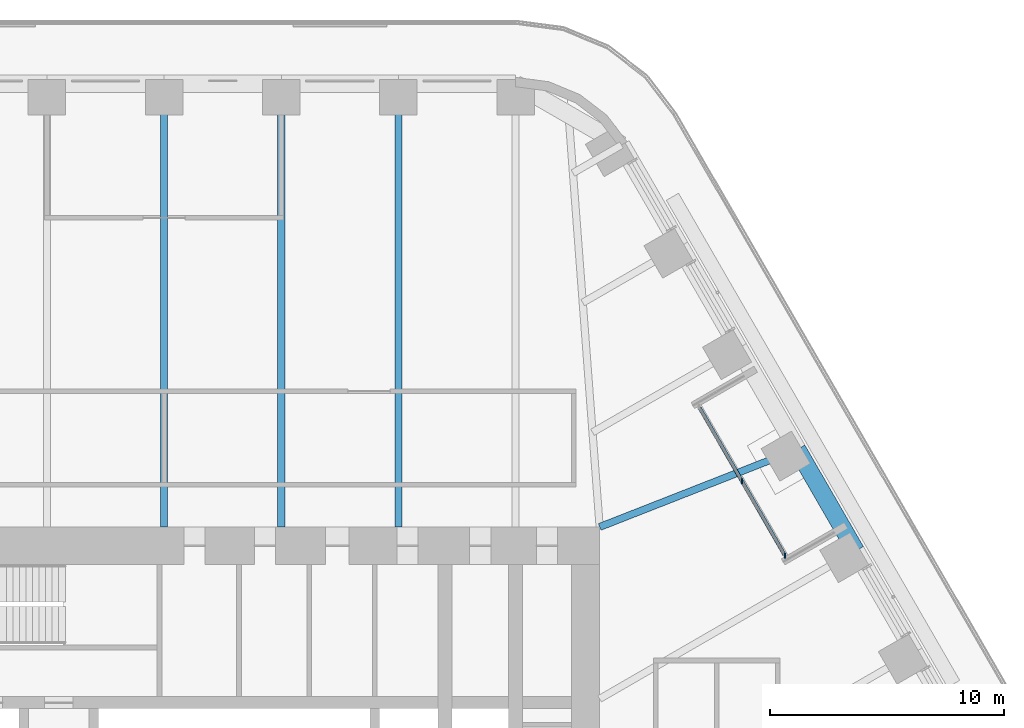
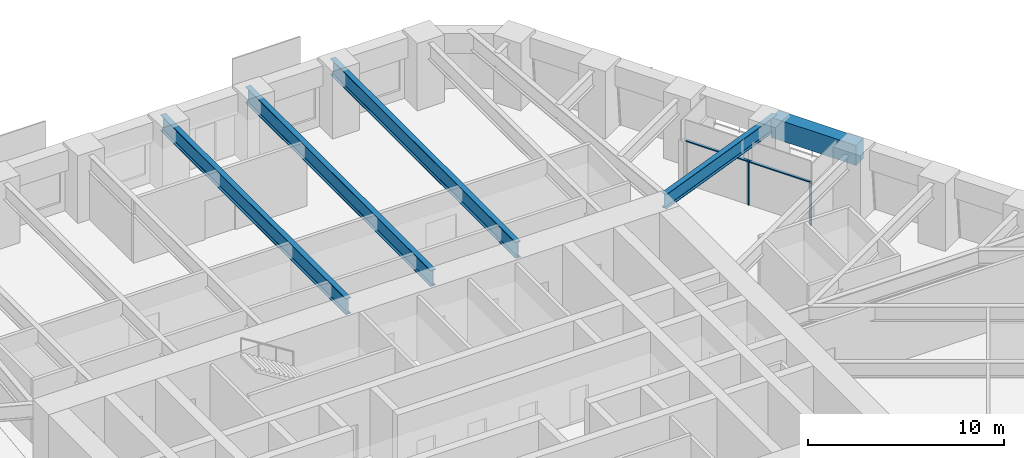
# One storey, part 11 of 24: 5 beams, 3 members, 1 element without a shape of its own.
"""IFC4 building model written with IfcOpenShell, lengths in metres."""

from ifc_helpers import new_model, si_unit, direction, frame, origin, origin_2d, place, context, subcontext, project, spatial, rectangle, i_section, extrude, material, material_profile, profile_set, type_object, element, aggregate, save


model = new_model("IFC4")

# Units and contexts
model_context = context("Model", 3, precision=1e-05, world=origin(), true_north=direction((0.0, 1.0)))
body_context = subcontext(model_context, "Body", "Model", "MODEL_VIEW")
ifc_project = project(units=[si_unit("LENGTHUNIT", "METRE"), si_unit("AREAUNIT", "SQUARE_METRE"), si_unit("VOLUMEUNIT", "CUBIC_METRE"), si_unit("PLANEANGLEUNIT", "RADIAN"), si_unit("MASSUNIT", "GRAM", prefix="KILO")], contexts=[model_context])

# Site, building, storey
site_placement = place(None, origin())
site = spatial("IfcSite", under=ifc_project, at=site_placement, CompositionType="ELEMENT")
building_placement = place(site_placement, origin())
building = spatial("IfcBuilding", under=site, at=building_placement, Name="Tarfa Lantern Tower", CompositionType="ELEMENT")
storey_placement = place(building_placement, frame((0.0, 0.0, 148.89990234375)))
storey = spatial("IfcBuildingStorey", under=building, at=storey_placement, Name="L33", CompositionType="ELEMENT", Elevation=148.89990234375)

# Curtain wall, members
ifc_material_1 = material(Name="Aluminium framed curtain wall", Category="aluminium")
curtain_wall_type = type_object("IfcCurtainWallType", Name="CW10 LOGGIA GLAZING 2750", PredefinedType="USERDEFINED", material=ifc_material_1)
curtain_wall_placement = place(storey_placement, origin())
curtain_wall = element("IfcCurtainWall", 1, at=curtain_wall_placement, inside=storey, type_object=curtain_wall_type, Name="CW10 NEL L33", ObjectType="CURTAIN WALL", PredefinedType="USERDEFINED")
ifc_material_2 = material(Name="Aluminium mullion", Category="aluminium")
ifc_material_profile_1 = material_profile(ifc_material_2, rectangle(XDim=0.06494140625, YDim=0.199951171875, at=origin_2d()), Name="AL MULLION 65x200")
ifc_profile_set_1 = profile_set([ifc_material_profile_1], Name="Aluminium mullion")
member_type_1 = type_object("IfcMemberType", Name="CWM1 MULLION 65x200", PredefinedType="MULLION", material=ifc_profile_set_1)
member_1_placement = place(storey_placement, frame((26.517333984375, 11.070556640625, 0.0), z_axis=(0.0, 0.0, 1.0), x_axis=(1.0, 0.0, 0.0)))
member_1 = element("IfcMember", 2, at=member_1_placement, type_object=member_type_1, Name="CW10 mullion 1", PredefinedType="MULLION", context=body_context, shape_type="SweptSolid", body=[
    extrude(rectangle(XDim=0.06494140625, YDim=0.199951171875, at=origin_2d()), origin(), (0.0, 0.0, 1.0), 2.75),
])
member_2_placement = place(storey_placement, frame((24.681640625, 14.25, 0.0), z_axis=(0.0, 0.0, 1.0), x_axis=(1.0, 0.0, 0.0)))
member_2 = element("IfcMember", 3, at=member_2_placement, type_object=member_type_1, Name="CW10 mullion 2", PredefinedType="MULLION", context=body_context, shape_type="SweptSolid", body=[
    extrude(rectangle(XDim=0.06494140625, YDim=0.199951171875, at=origin_2d()), origin(), (0.0, 0.0, 1.0), 2.75),
])
ifc_material_3 = material(Name="Aluminium transom", Category="aluminium")
ifc_material_profile_2 = material_profile(ifc_material_3, rectangle(XDim=0.14990234375, YDim=0.06494140625, at=origin_2d()), Name="AL TRANSOM 150x65")
ifc_profile_set_2 = profile_set([ifc_material_profile_2], Name="Aluminium transom")
member_type_2 = type_object("IfcMemberType", Name="CWT1 TRANSOM 150x65", PredefinedType="USERDEFINED", material=ifc_profile_set_2)
member_3_placement = place(storey_placement, frame((26.5009765625, 11.098876953125, 2.717529296875), z_axis=(-0.500007048974, 0.866021334019, 0.0), x_axis=(-0.866021334019, -0.500007048974, 0.0)))
member_3 = element("IfcMember", 4, at=member_3_placement, type_object=member_type_2, Name="CW10 transom 1.2", ObjectType="TRANSOM", PredefinedType="USERDEFINED", context=body_context, shape_type="SweptSolid", body=[
    extrude(rectangle(XDim=0.14990234375, YDim=0.06494140625, at=origin_2d()), origin(), (0.0, 0.0, 1.0), 7.27734375),
])
aggregate(curtain_wall, [member_1, member_2, member_3])

# Beams
ifc_material_4 = material(Name="Concrete C80/95", Category="concrete")
ifc_material_profile_3 = material_profile(ifc_material_4, rectangle(XDim=0.75, YDim=1.25, at=origin_2d()), Name="RC 750x1250")
ifc_profile_set_3 = profile_set([ifc_material_profile_3], Name="Concrete C80/95")
beam_type_1 = type_object("IfcBeamType", Name="EB2 RC 750x1250", PredefinedType="SPANDREL", material=ifc_profile_set_3)
beam_1_placement = place(storey_placement, frame((29.5390625, 11.276611328125, 3.375), z_axis=(-0.499964603504, 0.866045838996, 0.0), x_axis=(-0.866045838996, -0.499964603504, 0.0)))
element("IfcBeam", 5, at=beam_1_placement, inside=storey, type_object=beam_type_1, Name="Edge beam NE2", PredefinedType="SPANDREL", context=body_context, shape_type="SweptSolid", body=[
    extrude(rectangle(XDim=0.75, YDim=1.25, at=origin_2d()), origin(), (0.0, 0.0, 1.0), 5.003662109375),
])
ifc_material_5 = material(Name="Steel S460M", Category="steel")
ifc_material_profile_4 = material_profile(ifc_material_5, i_section(OverallWidth=0.302001953125, OverallDepth=1.008056640625, WebThickness=0.02099609375, FlangeThickness=0.0400390625, FilletRadius=0.030029296875, at=origin_2d()), Name="UB1016x305x349")
ifc_profile_set_4 = profile_set([ifc_material_profile_4], Name="Steel S460M")
beam_type_2 = type_object("IfcBeamType", Name="UB1016x305x349", PredefinedType="BEAM", material=ifc_profile_set_4)
for number, where, z_axis, x_axis, name in (
    (6, (10.00732421875, 31.219970703125, 3.49609375), (0.0, -1.0, 0.0), (1.0, 0.0, 0.0), "Floor beam N1"),
    (7, (5.003662109375, 31.219970703125, 3.49609375), (0.0, -1.0, 0.0), (1.0, 0.0, 0.0), "Floor beam N2"),
    (8, (0.0, 31.219970703125, 3.49609375), (0.0, -1.0, 0.0), (1.0, 0.0, 0.0), "Floor beam N3"),
):
    element("IfcBeam", number, at=place(storey_placement, frame(where, z_axis=z_axis, x_axis=x_axis)), inside=storey, type_object=beam_type_2, Name=name, PredefinedType="BEAM", context=body_context, shape_type="SweptSolid", body=[
        extrude(i_section(OverallWidth=0.302001953125, OverallDepth=1.008056640625, WebThickness=0.02099609375, FlangeThickness=0.0400390625, FilletRadius=0.030029296875, at=origin_2d()), origin(), (0.0, 0.0, 1.0), 18.919921875),
    ])
ifc_material_profile_5 = material_profile(ifc_material_5, i_section(OverallWidth=0.305419921875, OverallDepth=0.91845703125, WebThickness=0.017333984375, FlangeThickness=0.02783203125, FilletRadius=0.01904296875, at=origin_2d()), Name="UB914x305x253")
ifc_profile_set_5 = profile_set([ifc_material_profile_5], Name="Steel S460M")
beam_type_3 = type_object("IfcBeamType", Name="UB914x305x253", PredefinedType="BEAM", material=ifc_profile_set_5)
beam_2_placement = place(storey_placement, frame((27.037353515625, 15.610107421875, 3.541015625), z_axis=(-0.930923282782, -0.365214788274, 0.0), x_axis=(0.365214788274, -0.930923282782, 0.0)))
element("IfcBeam", 9, at=beam_2_placement, inside=storey, type_object=beam_type_3, Name="Floor beam NE3", PredefinedType="BEAM", context=body_context, shape_type="SweptSolid", body=[
    extrude(i_section(OverallWidth=0.305419921875, OverallDepth=0.91845703125, WebThickness=0.017333984375, FlangeThickness=0.02783203125, FilletRadius=0.01904296875, at=origin_2d()), origin(), (0.0, 0.0, 1.0), 9.063232421875),
])

save(model, "model.ifc")
